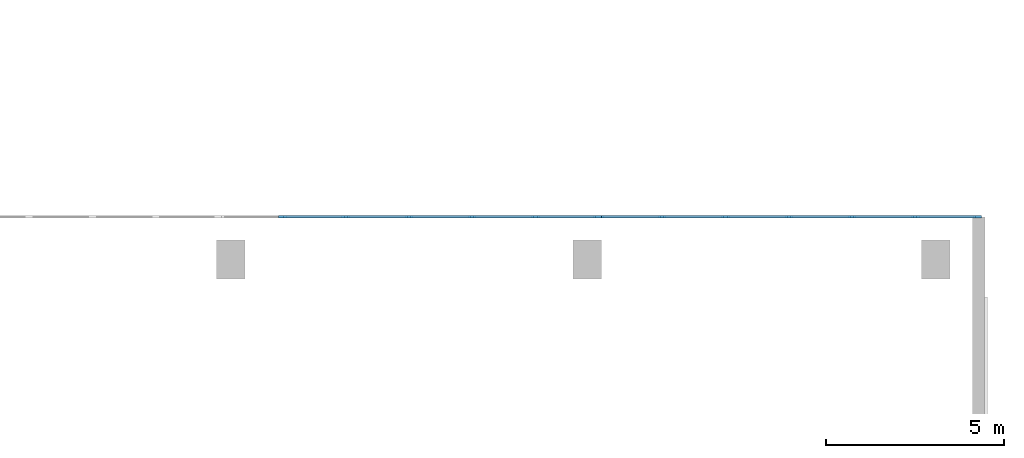
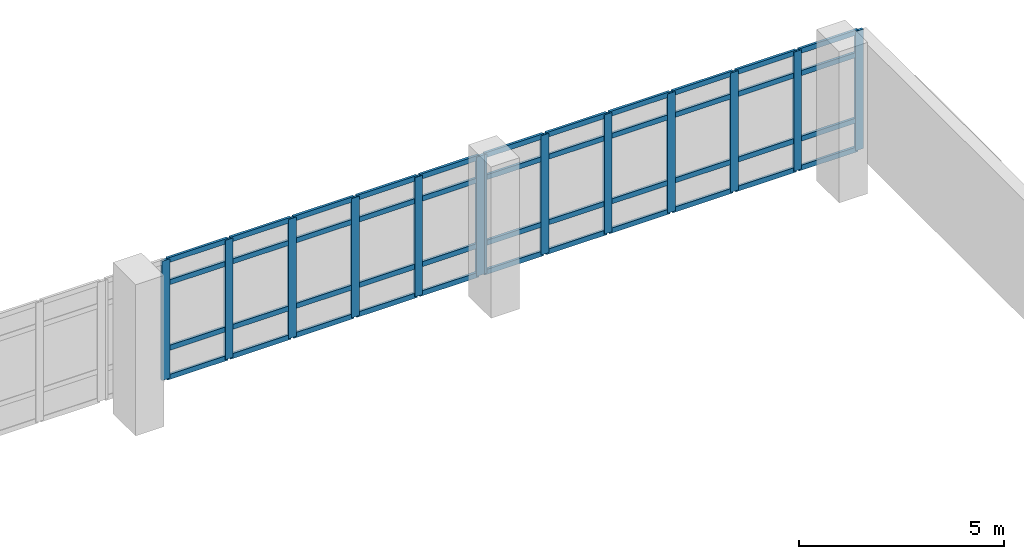
# One storey, part 75 of 120: 57 members, 2 elements without a shape of their own.
"""IFC4 building model written with IfcOpenShell, lengths in metres."""

from ifc_helpers import new_model, si_unit, direction, frame, origin, origin_2d, place, context, subcontext, project, spatial, rectangle, extrude, material, layer, layer_set, material_profile, profile_set, type_object, element, aggregate, save


model = new_model("IFC4")

# Units and contexts
model_context = context("Model", 3, precision=1e-05, world=origin(), true_north=direction((0.0, 1.0)))
body_context = subcontext(model_context, "Body", "Model", "MODEL_VIEW")
ifc_project = project(units=[si_unit("LENGTHUNIT", "METRE"), si_unit("AREAUNIT", "SQUARE_METRE"), si_unit("VOLUMEUNIT", "CUBIC_METRE"), si_unit("PLANEANGLEUNIT", "RADIAN"), si_unit("MASSUNIT", "GRAM", prefix="KILO")], contexts=[model_context])

# Site, building, storey
site_placement = place(None, origin())
site = spatial("IfcSite", under=ifc_project, at=site_placement, CompositionType="ELEMENT")
building_placement = place(site_placement, origin())
building = spatial("IfcBuilding", under=site, at=building_placement, Name="Sohan Crest Arena", CompositionType="ELEMENT")
storey_placement = place(building_placement, frame((0.0, 0.0, 13.5)))
storey = spatial("IfcBuildingStorey", under=building, at=storey_placement, Name="L03", CompositionType="ELEMENT", Elevation=13.5)

# Curtain wall, members
ifc_material = material(Name="Thermally broken anodised aluminium", Category="aluminium")
ifc_layer = layer(ifc_material, 0.2099609375, Name="Thermally broken anodised aluminium")
ifc_layer_set = layer_set([ifc_layer], Name="Thermally broken anodised aluminium")
curtain_wall_type = type_object("IfcCurtainWallType", Name="ARC-CW06", PredefinedType="NOTDEFINED", material=ifc_layer_set)
curtain_wall_1_placement = place(storey_placement, origin())
curtain_wall_1 = element("IfcCurtainWall", 1, at=curtain_wall_1_placement, inside=storey, type_object=curtain_wall_type, Name="Unitised curtain wall CW-220", PredefinedType="NOTDEFINED")
ifc_material_profile_1 = material_profile(ifc_material, rectangle(XDim=0.074951171875, YDim=0.219970703125, at=origin_2d()), Name="ALU-MULL 75x220")
ifc_profile_set_1 = profile_set([ifc_material_profile_1], Name="Thermally broken anodised aluminium")
member_type_1 = type_object("IfcMemberType", Name="ARC-CW-ML04", PredefinedType="MULLION", material=ifc_profile_set_1)
member_1_placement = place(storey_placement, frame((226.96240234375, 112.0, 0.0), z_axis=(0.0, 0.0, 1.0), x_axis=(0.0, -1.0, 0.0)))
member_1 = element("IfcMember", 2, at=member_1_placement, type_object=member_type_1, Name="CW-220 mullion 1", PredefinedType="MULLION", context=body_context, shape_type="SweptSolid", body=[
    extrude(rectangle(XDim=0.074951171875, YDim=0.219970703125, at=origin_2d()), origin(), (0.0, 0.0, 1.0), 3.550048828125),
])
member_2_placement = place(storey_placement, frame((225.22216796875, 112.0, 0.0), z_axis=(0.0, 0.0, 1.0), x_axis=(0.0, -1.0, 0.0)))
member_2 = element("IfcMember", 3, at=member_2_placement, type_object=member_type_1, Name="CW-220 mullion 2", PredefinedType="MULLION", context=body_context, shape_type="SweptSolid", body=[
    extrude(rectangle(XDim=0.074951171875, YDim=0.219970703125, at=origin_2d()), origin(), (0.0, 0.0, 1.0), 3.550048828125),
])
member_3_placement = place(storey_placement, frame((223.4443359375, 112.0, 0.0), z_axis=(0.0, 0.0, 1.0), x_axis=(0.0, -1.0, 0.0)))
member_3 = element("IfcMember", 4, at=member_3_placement, type_object=member_type_1, Name="CW-220 mullion 3", PredefinedType="MULLION", context=body_context, shape_type="SweptSolid", body=[
    extrude(rectangle(XDim=0.074951171875, YDim=0.219970703125, at=origin_2d()), origin(), (0.0, 0.0, 1.0), 3.550048828125),
])
member_4_placement = place(storey_placement, frame((221.66650390625, 112.0, 0.0), z_axis=(0.0, 0.0, 1.0), x_axis=(0.0, -1.0, 0.0)))
member_4 = element("IfcMember", 5, at=member_4_placement, type_object=member_type_1, Name="CW-220 mullion 4", PredefinedType="MULLION", context=body_context, shape_type="SweptSolid", body=[
    extrude(rectangle(XDim=0.074951171875, YDim=0.219970703125, at=origin_2d()), origin(), (0.0, 0.0, 1.0), 3.550048828125),
])
member_5_placement = place(storey_placement, frame((219.888671875, 112.0, 0.0), z_axis=(0.0, 0.0, 1.0), x_axis=(0.0, -1.0, 0.0)))
member_5 = element("IfcMember", 6, at=member_5_placement, type_object=member_type_1, Name="CW-220 mullion 5", PredefinedType="MULLION", context=body_context, shape_type="SweptSolid", body=[
    extrude(rectangle(XDim=0.074951171875, YDim=0.219970703125, at=origin_2d()), origin(), (0.0, 0.0, 1.0), 3.550048828125),
])
member_6_placement = place(storey_placement, frame((218.11083984375, 112.0, 0.0), z_axis=(0.0, 0.0, 1.0), x_axis=(0.0, -1.0, 0.0)))
member_6 = element("IfcMember", 7, at=member_6_placement, type_object=member_type_1, Name="CW-220 mullion 6", PredefinedType="MULLION", context=body_context, shape_type="SweptSolid", body=[
    extrude(rectangle(XDim=0.074951171875, YDim=0.219970703125, at=origin_2d()), origin(), (0.0, 0.0, 1.0), 3.550048828125),
])
member_7_placement = place(storey_placement, frame((216.37060546875, 112.0, 0.0), z_axis=(0.0, 0.0, 1.0), x_axis=(0.0, -1.0, 0.0)))
member_7 = element("IfcMember", 8, at=member_7_placement, type_object=member_type_1, Name="CW-220 mullion 7", PredefinedType="MULLION", context=body_context, shape_type="SweptSolid", body=[
    extrude(rectangle(XDim=0.074951171875, YDim=0.219970703125, at=origin_2d()), origin(), (0.0, 0.0, 1.0), 3.550048828125),
])

curtain_wall_2_placement = place(storey_placement, origin())
curtain_wall_2 = element("IfcCurtainWall", 9, at=curtain_wall_2_placement, inside=storey, type_object=curtain_wall_type, Name="Unitised curtain wall CW-221", PredefinedType="NOTDEFINED")
member_8_placement = place(storey_placement, frame((216.29541015625, 112.0, 0.0), z_axis=(0.0, 0.0, 1.0), x_axis=(0.0, -1.0, 0.0)))
member_8 = element("IfcMember", 10, at=member_8_placement, type_object=member_type_1, Name="CW-221 mullion 1", PredefinedType="MULLION", context=body_context, shape_type="SweptSolid", body=[
    extrude(rectangle(XDim=0.074951171875, YDim=0.219970703125, at=origin_2d()), origin(), (0.0, 0.0, 1.0), 3.550048828125),
])
member_9_placement = place(storey_placement, frame((214.555419921875, 112.0, 0.0), z_axis=(0.0, 0.0, 1.0), x_axis=(0.0, -1.0, 0.0)))
member_9 = element("IfcMember", 11, at=member_9_placement, type_object=member_type_1, Name="CW-221 mullion 2", PredefinedType="MULLION", context=body_context, shape_type="SweptSolid", body=[
    extrude(rectangle(XDim=0.074951171875, YDim=0.219970703125, at=origin_2d()), origin(), (0.0, 0.0, 1.0), 3.550048828125),
])
member_10_placement = place(storey_placement, frame((212.777587890625, 112.0, 0.0), z_axis=(0.0, 0.0, 1.0), x_axis=(0.0, -1.0, 0.0)))
member_10 = element("IfcMember", 12, at=member_10_placement, type_object=member_type_1, Name="CW-221 mullion 3", PredefinedType="MULLION", context=body_context, shape_type="SweptSolid", body=[
    extrude(rectangle(XDim=0.074951171875, YDim=0.219970703125, at=origin_2d()), origin(), (0.0, 0.0, 1.0), 3.550048828125),
])
member_11_placement = place(storey_placement, frame((211.0, 112.0, 0.0), z_axis=(0.0, 0.0, 1.0), x_axis=(0.0, -1.0, 0.0)))
member_11 = element("IfcMember", 13, at=member_11_placement, type_object=member_type_1, Name="CW-221 mullion 4", PredefinedType="MULLION", context=body_context, shape_type="SweptSolid", body=[
    extrude(rectangle(XDim=0.074951171875, YDim=0.219970703125, at=origin_2d()), origin(), (0.0, 0.0, 1.0), 3.550048828125),
])
member_12_placement = place(storey_placement, frame((209.222412109375, 112.0, 0.0), z_axis=(0.0, 0.0, 1.0), x_axis=(0.0, -1.0, 0.0)))
member_12 = element("IfcMember", 14, at=member_12_placement, type_object=member_type_1, Name="CW-221 mullion 5", PredefinedType="MULLION", context=body_context, shape_type="SweptSolid", body=[
    extrude(rectangle(XDim=0.074951171875, YDim=0.219970703125, at=origin_2d()), origin(), (0.0, 0.0, 1.0), 3.550048828125),
])
member_13_placement = place(storey_placement, frame((207.444580078125, 112.0, 0.0), z_axis=(0.0, 0.0, 1.0), x_axis=(0.0, -1.0, 0.0)))
member_13 = element("IfcMember", 15, at=member_13_placement, type_object=member_type_1, Name="CW-221 mullion 6", PredefinedType="MULLION", context=body_context, shape_type="SweptSolid", body=[
    extrude(rectangle(XDim=0.074951171875, YDim=0.219970703125, at=origin_2d()), origin(), (0.0, 0.0, 1.0), 3.550048828125),
])

# Member
ifc_material_profile_2 = material_profile(ifc_material, rectangle(XDim=0.070068359375, YDim=0.14990234375, at=origin_2d()), Name="ALU-TRAN 70x150")
ifc_profile_set_2 = profile_set([ifc_material_profile_2], Name="Thermally broken anodised aluminium")
member_type_2 = type_object("IfcMemberType", Name="ARC-CW-TR03", PredefinedType="USERDEFINED", material=ifc_profile_set_2)
member_14_placement = place(storey_placement, frame((226.925048828125, 112.0, 0.034912109375), z_axis=(-1.0, 0.0, 0.0), x_axis=(0.0, -1.0, 0.0)))
member_14 = element("IfcMember", 16, at=member_14_placement, type_object=member_type_2, Name="CW-220 transom 1.1", ObjectType="TRANSOM", PredefinedType="USERDEFINED", context=body_context, shape_type="SweptSolid", body=[
    extrude(rectangle(XDim=0.070068359375, YDim=0.14990234375, at=origin_2d()), origin(), (0.0, 0.0, 1.0), 1.665283203125),
])

member_15_placement = place(storey_placement, frame((226.925048828125, 112.0, 0.89990234375), z_axis=(-1.0, 0.0, 0.0), x_axis=(0.0, -1.0, 0.0)))
member_15 = element("IfcMember", 17, at=member_15_placement, type_object=member_type_2, Name="CW-220 transom 1.2", ObjectType="TRANSOM", PredefinedType="USERDEFINED", context=body_context, shape_type="SweptSolid", body=[
    extrude(rectangle(XDim=0.070068359375, YDim=0.14990234375, at=origin_2d()), origin(), (0.0, 0.0, 1.0), 1.665283203125),
])

member_16_placement = place(storey_placement, frame((226.925048828125, 112.0, 2.85009765625), z_axis=(-1.0, 0.0, 0.0), x_axis=(0.0, -1.0, 0.0)))
member_16 = element("IfcMember", 18, at=member_16_placement, type_object=member_type_2, Name="CW-220 transom 1.3", ObjectType="TRANSOM", PredefinedType="USERDEFINED", context=body_context, shape_type="SweptSolid", body=[
    extrude(rectangle(XDim=0.070068359375, YDim=0.14990234375, at=origin_2d()), origin(), (0.0, 0.0, 1.0), 1.665283203125),
])

member_17_placement = place(storey_placement, frame((226.925048828125, 112.0, 3.514892578125), z_axis=(-1.0, 0.0, 0.0), x_axis=(0.0, -1.0, 0.0)))
member_17 = element("IfcMember", 19, at=member_17_placement, type_object=member_type_2, Name="CW-220 transom 1.4", ObjectType="TRANSOM", PredefinedType="USERDEFINED", context=body_context, shape_type="SweptSolid", body=[
    extrude(rectangle(XDim=0.070068359375, YDim=0.14990234375, at=origin_2d()), origin(), (0.0, 0.0, 1.0), 1.665283203125),
])

member_18_placement = place(storey_placement, frame((225.1845703125, 112.0, 0.034912109375), z_axis=(-1.0, 0.0, 0.0), x_axis=(0.0, -1.0, 0.0)))
member_18 = element("IfcMember", 20, at=member_18_placement, type_object=member_type_2, Name="CW-220 transom 2.1", ObjectType="TRANSOM", PredefinedType="USERDEFINED", context=body_context, shape_type="SweptSolid", body=[
    extrude(rectangle(XDim=0.070068359375, YDim=0.14990234375, at=origin_2d()), origin(), (0.0, 0.0, 1.0), 1.70263671875),
])

member_19_placement = place(storey_placement, frame((225.1845703125, 112.0, 0.89990234375), z_axis=(-1.0, 0.0, 0.0), x_axis=(0.0, -1.0, 0.0)))
member_19 = element("IfcMember", 21, at=member_19_placement, type_object=member_type_2, Name="CW-220 transom 2.2", ObjectType="TRANSOM", PredefinedType="USERDEFINED", context=body_context, shape_type="SweptSolid", body=[
    extrude(rectangle(XDim=0.070068359375, YDim=0.14990234375, at=origin_2d()), origin(), (0.0, 0.0, 1.0), 1.70263671875),
])

member_20_placement = place(storey_placement, frame((225.1845703125, 112.0, 2.85009765625), z_axis=(-1.0, 0.0, 0.0), x_axis=(0.0, -1.0, 0.0)))
member_20 = element("IfcMember", 22, at=member_20_placement, type_object=member_type_2, Name="CW-220 transom 2.3", ObjectType="TRANSOM", PredefinedType="USERDEFINED", context=body_context, shape_type="SweptSolid", body=[
    extrude(rectangle(XDim=0.070068359375, YDim=0.14990234375, at=origin_2d()), origin(), (0.0, 0.0, 1.0), 1.70263671875),
])

member_21_placement = place(storey_placement, frame((225.1845703125, 112.0, 3.514892578125), z_axis=(-1.0, 0.0, 0.0), x_axis=(0.0, -1.0, 0.0)))
member_21 = element("IfcMember", 23, at=member_21_placement, type_object=member_type_2, Name="CW-220 transom 2.4", ObjectType="TRANSOM", PredefinedType="USERDEFINED", context=body_context, shape_type="SweptSolid", body=[
    extrude(rectangle(XDim=0.070068359375, YDim=0.14990234375, at=origin_2d()), origin(), (0.0, 0.0, 1.0), 1.70263671875),
])

member_22_placement = place(storey_placement, frame((223.40673828125, 112.0, 0.034912109375), z_axis=(-1.0, 0.0, 0.0), x_axis=(0.0, -1.0, 0.0)))
member_22 = element("IfcMember", 24, at=member_22_placement, type_object=member_type_2, Name="CW-220 transom 3.1", ObjectType="TRANSOM", PredefinedType="USERDEFINED", context=body_context, shape_type="SweptSolid", body=[
    extrude(rectangle(XDim=0.070068359375, YDim=0.14990234375, at=origin_2d()), origin(), (0.0, 0.0, 1.0), 1.70263671875),
])

member_23_placement = place(storey_placement, frame((223.40673828125, 112.0, 0.89990234375), z_axis=(-1.0, 0.0, 0.0), x_axis=(0.0, -1.0, 0.0)))
member_23 = element("IfcMember", 25, at=member_23_placement, type_object=member_type_2, Name="CW-220 transom 3.2", ObjectType="TRANSOM", PredefinedType="USERDEFINED", context=body_context, shape_type="SweptSolid", body=[
    extrude(rectangle(XDim=0.070068359375, YDim=0.14990234375, at=origin_2d()), origin(), (0.0, 0.0, 1.0), 1.70263671875),
])

member_24_placement = place(storey_placement, frame((223.40673828125, 112.0, 2.85009765625), z_axis=(-1.0, 0.0, 0.0), x_axis=(0.0, -1.0, 0.0)))
member_24 = element("IfcMember", 26, at=member_24_placement, type_object=member_type_2, Name="CW-220 transom 3.3", ObjectType="TRANSOM", PredefinedType="USERDEFINED", context=body_context, shape_type="SweptSolid", body=[
    extrude(rectangle(XDim=0.070068359375, YDim=0.14990234375, at=origin_2d()), origin(), (0.0, 0.0, 1.0), 1.70263671875),
])

member_25_placement = place(storey_placement, frame((223.40673828125, 112.0, 3.514892578125), z_axis=(-1.0, 0.0, 0.0), x_axis=(0.0, -1.0, 0.0)))
member_25 = element("IfcMember", 27, at=member_25_placement, type_object=member_type_2, Name="CW-220 transom 3.4", ObjectType="TRANSOM", PredefinedType="USERDEFINED", context=body_context, shape_type="SweptSolid", body=[
    extrude(rectangle(XDim=0.070068359375, YDim=0.14990234375, at=origin_2d()), origin(), (0.0, 0.0, 1.0), 1.70263671875),
])

member_26_placement = place(storey_placement, frame((221.62890625, 112.0, 0.034912109375), z_axis=(-1.0, 0.0, 0.0), x_axis=(0.0, -1.0, 0.0)))
member_26 = element("IfcMember", 28, at=member_26_placement, type_object=member_type_2, Name="CW-220 transom 4.1", ObjectType="TRANSOM", PredefinedType="USERDEFINED", context=body_context, shape_type="SweptSolid", body=[
    extrude(rectangle(XDim=0.070068359375, YDim=0.14990234375, at=origin_2d()), origin(), (0.0, 0.0, 1.0), 1.70263671875),
])

member_27_placement = place(storey_placement, frame((221.62890625, 112.0, 0.89990234375), z_axis=(-1.0, 0.0, 0.0), x_axis=(0.0, -1.0, 0.0)))
member_27 = element("IfcMember", 29, at=member_27_placement, type_object=member_type_2, Name="CW-220 transom 4.2", ObjectType="TRANSOM", PredefinedType="USERDEFINED", context=body_context, shape_type="SweptSolid", body=[
    extrude(rectangle(XDim=0.070068359375, YDim=0.14990234375, at=origin_2d()), origin(), (0.0, 0.0, 1.0), 1.70263671875),
])

member_28_placement = place(storey_placement, frame((221.62890625, 112.0, 2.85009765625), z_axis=(-1.0, 0.0, 0.0), x_axis=(0.0, -1.0, 0.0)))
member_28 = element("IfcMember", 30, at=member_28_placement, type_object=member_type_2, Name="CW-220 transom 4.3", ObjectType="TRANSOM", PredefinedType="USERDEFINED", context=body_context, shape_type="SweptSolid", body=[
    extrude(rectangle(XDim=0.070068359375, YDim=0.14990234375, at=origin_2d()), origin(), (0.0, 0.0, 1.0), 1.70263671875),
])

member_29_placement = place(storey_placement, frame((221.62890625, 112.0, 3.514892578125), z_axis=(-1.0, 0.0, 0.0), x_axis=(0.0, -1.0, 0.0)))
member_29 = element("IfcMember", 31, at=member_29_placement, type_object=member_type_2, Name="CW-220 transom 4.4", ObjectType="TRANSOM", PredefinedType="USERDEFINED", context=body_context, shape_type="SweptSolid", body=[
    extrude(rectangle(XDim=0.070068359375, YDim=0.14990234375, at=origin_2d()), origin(), (0.0, 0.0, 1.0), 1.70263671875),
])

member_30_placement = place(storey_placement, frame((219.85107421875, 112.0, 0.034912109375), z_axis=(-1.0, 0.0, 0.0), x_axis=(0.0, -1.0, 0.0)))
member_30 = element("IfcMember", 32, at=member_30_placement, type_object=member_type_2, Name="CW-220 transom 5.1", ObjectType="TRANSOM", PredefinedType="USERDEFINED", context=body_context, shape_type="SweptSolid", body=[
    extrude(rectangle(XDim=0.070068359375, YDim=0.14990234375, at=origin_2d()), origin(), (0.0, 0.0, 1.0), 1.70263671875),
])

member_31_placement = place(storey_placement, frame((219.85107421875, 112.0, 0.89990234375), z_axis=(-1.0, 0.0, 0.0), x_axis=(0.0, -1.0, 0.0)))
member_31 = element("IfcMember", 33, at=member_31_placement, type_object=member_type_2, Name="CW-220 transom 5.2", ObjectType="TRANSOM", PredefinedType="USERDEFINED", context=body_context, shape_type="SweptSolid", body=[
    extrude(rectangle(XDim=0.070068359375, YDim=0.14990234375, at=origin_2d()), origin(), (0.0, 0.0, 1.0), 1.70263671875),
])

member_32_placement = place(storey_placement, frame((219.85107421875, 112.0, 2.85009765625), z_axis=(-1.0, 0.0, 0.0), x_axis=(0.0, -1.0, 0.0)))
member_32 = element("IfcMember", 34, at=member_32_placement, type_object=member_type_2, Name="CW-220 transom 5.3", ObjectType="TRANSOM", PredefinedType="USERDEFINED", context=body_context, shape_type="SweptSolid", body=[
    extrude(rectangle(XDim=0.070068359375, YDim=0.14990234375, at=origin_2d()), origin(), (0.0, 0.0, 1.0), 1.70263671875),
])

member_33_placement = place(storey_placement, frame((219.85107421875, 112.0, 3.514892578125), z_axis=(-1.0, 0.0, 0.0), x_axis=(0.0, -1.0, 0.0)))
member_33 = element("IfcMember", 35, at=member_33_placement, type_object=member_type_2, Name="CW-220 transom 5.4", ObjectType="TRANSOM", PredefinedType="USERDEFINED", context=body_context, shape_type="SweptSolid", body=[
    extrude(rectangle(XDim=0.070068359375, YDim=0.14990234375, at=origin_2d()), origin(), (0.0, 0.0, 1.0), 1.70263671875),
])

member_34_placement = place(storey_placement, frame((218.0732421875, 112.0, 0.034912109375), z_axis=(-1.0, 0.0, 0.0), x_axis=(0.0, -1.0, 0.0)))
member_34 = element("IfcMember", 36, at=member_34_placement, type_object=member_type_2, Name="CW-220 transom 6.1", ObjectType="TRANSOM", PredefinedType="USERDEFINED", context=body_context, shape_type="SweptSolid", body=[
    extrude(rectangle(XDim=0.070068359375, YDim=0.14990234375, at=origin_2d()), origin(), (0.0, 0.0, 1.0), 1.665283203125),
])

member_35_placement = place(storey_placement, frame((218.0732421875, 112.0, 0.89990234375), z_axis=(-1.0, 0.0, 0.0), x_axis=(0.0, -1.0, 0.0)))
member_35 = element("IfcMember", 37, at=member_35_placement, type_object=member_type_2, Name="CW-220 transom 6.2", ObjectType="TRANSOM", PredefinedType="USERDEFINED", context=body_context, shape_type="SweptSolid", body=[
    extrude(rectangle(XDim=0.070068359375, YDim=0.14990234375, at=origin_2d()), origin(), (0.0, 0.0, 1.0), 1.665283203125),
])

member_36_placement = place(storey_placement, frame((218.0732421875, 112.0, 2.85009765625), z_axis=(-1.0, 0.0, 0.0), x_axis=(0.0, -1.0, 0.0)))
member_36 = element("IfcMember", 38, at=member_36_placement, type_object=member_type_2, Name="CW-220 transom 6.3", ObjectType="TRANSOM", PredefinedType="USERDEFINED", context=body_context, shape_type="SweptSolid", body=[
    extrude(rectangle(XDim=0.070068359375, YDim=0.14990234375, at=origin_2d()), origin(), (0.0, 0.0, 1.0), 1.665283203125),
])

member_37_placement = place(storey_placement, frame((218.0732421875, 112.0, 3.514892578125), z_axis=(-1.0, 0.0, 0.0), x_axis=(0.0, -1.0, 0.0)))
member_37 = element("IfcMember", 39, at=member_37_placement, type_object=member_type_2, Name="CW-220 transom 6.4", ObjectType="TRANSOM", PredefinedType="USERDEFINED", context=body_context, shape_type="SweptSolid", body=[
    extrude(rectangle(XDim=0.070068359375, YDim=0.14990234375, at=origin_2d()), origin(), (0.0, 0.0, 1.0), 1.665283203125),
])

aggregate(curtain_wall_1, [member_1, member_2, member_3, member_4, member_5, member_6, member_7, member_14, member_15, member_16, member_17, member_18, member_19, member_20, member_21, member_22, member_23, member_24, member_25, member_26, member_27, member_28, member_29, member_30, member_31, member_32, member_33, member_34, member_35, member_36, member_37])

member_38_placement = place(storey_placement, frame((216.258056640625, 112.0, 0.034912109375), z_axis=(-1.0, 0.0, 0.0), x_axis=(0.0, -1.0, 0.0)))
member_38 = element("IfcMember", 40, at=member_38_placement, type_object=member_type_2, Name="CW-221 transom 1.1", ObjectType="TRANSOM", PredefinedType="USERDEFINED", context=body_context, shape_type="SweptSolid", body=[
    extrude(rectangle(XDim=0.070068359375, YDim=0.14990234375, at=origin_2d()), origin(), (0.0, 0.0, 1.0), 1.665283203125),
])

member_39_placement = place(storey_placement, frame((216.258056640625, 112.0, 0.89990234375), z_axis=(-1.0, 0.0, 0.0), x_axis=(0.0, -1.0, 0.0)))
member_39 = element("IfcMember", 41, at=member_39_placement, type_object=member_type_2, Name="CW-221 transom 1.2", ObjectType="TRANSOM", PredefinedType="USERDEFINED", context=body_context, shape_type="SweptSolid", body=[
    extrude(rectangle(XDim=0.070068359375, YDim=0.14990234375, at=origin_2d()), origin(), (0.0, 0.0, 1.0), 1.665283203125),
])

member_40_placement = place(storey_placement, frame((216.258056640625, 112.0, 2.85009765625), z_axis=(-1.0, 0.0, 0.0), x_axis=(0.0, -1.0, 0.0)))
member_40 = element("IfcMember", 42, at=member_40_placement, type_object=member_type_2, Name="CW-221 transom 1.3", ObjectType="TRANSOM", PredefinedType="USERDEFINED", context=body_context, shape_type="SweptSolid", body=[
    extrude(rectangle(XDim=0.070068359375, YDim=0.14990234375, at=origin_2d()), origin(), (0.0, 0.0, 1.0), 1.665283203125),
])

member_41_placement = place(storey_placement, frame((216.258056640625, 112.0, 3.514892578125), z_axis=(-1.0, 0.0, 0.0), x_axis=(0.0, -1.0, 0.0)))
member_41 = element("IfcMember", 43, at=member_41_placement, type_object=member_type_2, Name="CW-221 transom 1.4", ObjectType="TRANSOM", PredefinedType="USERDEFINED", context=body_context, shape_type="SweptSolid", body=[
    extrude(rectangle(XDim=0.070068359375, YDim=0.14990234375, at=origin_2d()), origin(), (0.0, 0.0, 1.0), 1.665283203125),
])

member_42_placement = place(storey_placement, frame((214.517822265625, 112.0, 0.034912109375), z_axis=(-1.0, 0.0, 0.0), x_axis=(0.0, -1.0, 0.0)))
member_42 = element("IfcMember", 44, at=member_42_placement, type_object=member_type_2, Name="CW-221 transom 2.1", ObjectType="TRANSOM", PredefinedType="USERDEFINED", context=body_context, shape_type="SweptSolid", body=[
    extrude(rectangle(XDim=0.070068359375, YDim=0.14990234375, at=origin_2d()), origin(), (0.0, 0.0, 1.0), 1.70263671875),
])

member_43_placement = place(storey_placement, frame((214.517822265625, 112.0, 0.89990234375), z_axis=(-1.0, 0.0, 0.0), x_axis=(0.0, -1.0, 0.0)))
member_43 = element("IfcMember", 45, at=member_43_placement, type_object=member_type_2, Name="CW-221 transom 2.2", ObjectType="TRANSOM", PredefinedType="USERDEFINED", context=body_context, shape_type="SweptSolid", body=[
    extrude(rectangle(XDim=0.070068359375, YDim=0.14990234375, at=origin_2d()), origin(), (0.0, 0.0, 1.0), 1.70263671875),
])

member_44_placement = place(storey_placement, frame((214.517822265625, 112.0, 2.85009765625), z_axis=(-1.0, 0.0, 0.0), x_axis=(0.0, -1.0, 0.0)))
member_44 = element("IfcMember", 46, at=member_44_placement, type_object=member_type_2, Name="CW-221 transom 2.3", ObjectType="TRANSOM", PredefinedType="USERDEFINED", context=body_context, shape_type="SweptSolid", body=[
    extrude(rectangle(XDim=0.070068359375, YDim=0.14990234375, at=origin_2d()), origin(), (0.0, 0.0, 1.0), 1.70263671875),
])

member_45_placement = place(storey_placement, frame((214.517822265625, 112.0, 3.514892578125), z_axis=(-1.0, 0.0, 0.0), x_axis=(0.0, -1.0, 0.0)))
member_45 = element("IfcMember", 47, at=member_45_placement, type_object=member_type_2, Name="CW-221 transom 2.4", ObjectType="TRANSOM", PredefinedType="USERDEFINED", context=body_context, shape_type="SweptSolid", body=[
    extrude(rectangle(XDim=0.070068359375, YDim=0.14990234375, at=origin_2d()), origin(), (0.0, 0.0, 1.0), 1.70263671875),
])

member_46_placement = place(storey_placement, frame((212.740234375, 112.0, 0.034912109375), z_axis=(-1.0, 0.0, 0.0), x_axis=(0.0, -1.0, 0.0)))
member_46 = element("IfcMember", 48, at=member_46_placement, type_object=member_type_2, Name="CW-221 transom 3.1", ObjectType="TRANSOM", PredefinedType="USERDEFINED", context=body_context, shape_type="SweptSolid", body=[
    extrude(rectangle(XDim=0.070068359375, YDim=0.14990234375, at=origin_2d()), origin(), (0.0, 0.0, 1.0), 1.70263671875),
])

member_47_placement = place(storey_placement, frame((212.740234375, 112.0, 0.89990234375), z_axis=(-1.0, 0.0, 0.0), x_axis=(0.0, -1.0, 0.0)))
member_47 = element("IfcMember", 49, at=member_47_placement, type_object=member_type_2, Name="CW-221 transom 3.2", ObjectType="TRANSOM", PredefinedType="USERDEFINED", context=body_context, shape_type="SweptSolid", body=[
    extrude(rectangle(XDim=0.070068359375, YDim=0.14990234375, at=origin_2d()), origin(), (0.0, 0.0, 1.0), 1.70263671875),
])

member_48_placement = place(storey_placement, frame((212.740234375, 112.0, 2.85009765625), z_axis=(-1.0, 0.0, 0.0), x_axis=(0.0, -1.0, 0.0)))
member_48 = element("IfcMember", 50, at=member_48_placement, type_object=member_type_2, Name="CW-221 transom 3.3", ObjectType="TRANSOM", PredefinedType="USERDEFINED", context=body_context, shape_type="SweptSolid", body=[
    extrude(rectangle(XDim=0.070068359375, YDim=0.14990234375, at=origin_2d()), origin(), (0.0, 0.0, 1.0), 1.70263671875),
])

member_49_placement = place(storey_placement, frame((212.740234375, 112.0, 3.514892578125), z_axis=(-1.0, 0.0, 0.0), x_axis=(0.0, -1.0, 0.0)))
member_49 = element("IfcMember", 51, at=member_49_placement, type_object=member_type_2, Name="CW-221 transom 3.4", ObjectType="TRANSOM", PredefinedType="USERDEFINED", context=body_context, shape_type="SweptSolid", body=[
    extrude(rectangle(XDim=0.070068359375, YDim=0.14990234375, at=origin_2d()), origin(), (0.0, 0.0, 1.0), 1.70263671875),
])

member_50_placement = place(storey_placement, frame((210.96240234375, 112.0, 0.034912109375), z_axis=(-1.0, 0.0, 0.0), x_axis=(0.0, -1.0, 0.0)))
member_50 = element("IfcMember", 52, at=member_50_placement, type_object=member_type_2, Name="CW-221 transom 4.1", ObjectType="TRANSOM", PredefinedType="USERDEFINED", context=body_context, shape_type="SweptSolid", body=[
    extrude(rectangle(XDim=0.070068359375, YDim=0.14990234375, at=origin_2d()), origin(), (0.0, 0.0, 1.0), 1.70263671875),
])

member_51_placement = place(storey_placement, frame((210.96240234375, 112.0, 0.89990234375), z_axis=(-1.0, 0.0, 0.0), x_axis=(0.0, -1.0, 0.0)))
member_51 = element("IfcMember", 53, at=member_51_placement, type_object=member_type_2, Name="CW-221 transom 4.2", ObjectType="TRANSOM", PredefinedType="USERDEFINED", context=body_context, shape_type="SweptSolid", body=[
    extrude(rectangle(XDim=0.070068359375, YDim=0.14990234375, at=origin_2d()), origin(), (0.0, 0.0, 1.0), 1.70263671875),
])

member_52_placement = place(storey_placement, frame((210.96240234375, 112.0, 2.85009765625), z_axis=(-1.0, 0.0, 0.0), x_axis=(0.0, -1.0, 0.0)))
member_52 = element("IfcMember", 54, at=member_52_placement, type_object=member_type_2, Name="CW-221 transom 4.3", ObjectType="TRANSOM", PredefinedType="USERDEFINED", context=body_context, shape_type="SweptSolid", body=[
    extrude(rectangle(XDim=0.070068359375, YDim=0.14990234375, at=origin_2d()), origin(), (0.0, 0.0, 1.0), 1.70263671875),
])

member_53_placement = place(storey_placement, frame((210.96240234375, 112.0, 3.514892578125), z_axis=(-1.0, 0.0, 0.0), x_axis=(0.0, -1.0, 0.0)))
member_53 = element("IfcMember", 55, at=member_53_placement, type_object=member_type_2, Name="CW-221 transom 4.4", ObjectType="TRANSOM", PredefinedType="USERDEFINED", context=body_context, shape_type="SweptSolid", body=[
    extrude(rectangle(XDim=0.070068359375, YDim=0.14990234375, at=origin_2d()), origin(), (0.0, 0.0, 1.0), 1.70263671875),
])

member_54_placement = place(storey_placement, frame((209.184814453125, 112.0, 0.034912109375), z_axis=(-1.0, 0.0, 0.0), x_axis=(0.0, -1.0, 0.0)))
member_54 = element("IfcMember", 56, at=member_54_placement, type_object=member_type_2, Name="CW-221 transom 5.1", ObjectType="TRANSOM", PredefinedType="USERDEFINED", context=body_context, shape_type="SweptSolid", body=[
    extrude(rectangle(XDim=0.070068359375, YDim=0.14990234375, at=origin_2d()), origin(), (0.0, 0.0, 1.0), 1.70263671875),
])

member_55_placement = place(storey_placement, frame((209.184814453125, 112.0, 0.89990234375), z_axis=(-1.0, 0.0, 0.0), x_axis=(0.0, -1.0, 0.0)))
member_55 = element("IfcMember", 57, at=member_55_placement, type_object=member_type_2, Name="CW-221 transom 5.2", ObjectType="TRANSOM", PredefinedType="USERDEFINED", context=body_context, shape_type="SweptSolid", body=[
    extrude(rectangle(XDim=0.070068359375, YDim=0.14990234375, at=origin_2d()), origin(), (0.0, 0.0, 1.0), 1.70263671875),
])

member_56_placement = place(storey_placement, frame((209.184814453125, 112.0, 2.85009765625), z_axis=(-1.0, 0.0, 0.0), x_axis=(0.0, -1.0, 0.0)))
member_56 = element("IfcMember", 58, at=member_56_placement, type_object=member_type_2, Name="CW-221 transom 5.3", ObjectType="TRANSOM", PredefinedType="USERDEFINED", context=body_context, shape_type="SweptSolid", body=[
    extrude(rectangle(XDim=0.070068359375, YDim=0.14990234375, at=origin_2d()), origin(), (0.0, 0.0, 1.0), 1.70263671875),
])

member_57_placement = place(storey_placement, frame((209.184814453125, 112.0, 3.514892578125), z_axis=(-1.0, 0.0, 0.0), x_axis=(0.0, -1.0, 0.0)))
member_57 = element("IfcMember", 59, at=member_57_placement, type_object=member_type_2, Name="CW-221 transom 5.4", ObjectType="TRANSOM", PredefinedType="USERDEFINED", context=body_context, shape_type="SweptSolid", body=[
    extrude(rectangle(XDim=0.070068359375, YDim=0.14990234375, at=origin_2d()), origin(), (0.0, 0.0, 1.0), 1.70263671875),
])

aggregate(curtain_wall_2, [member_8, member_9, member_10, member_11, member_12, member_13, member_38, member_39, member_40, member_41, member_42, member_43, member_44, member_45, member_46, member_47, member_48, member_49, member_50, member_51, member_52, member_53, member_54, member_55, member_56, member_57])

save(model, "model.ifc")
